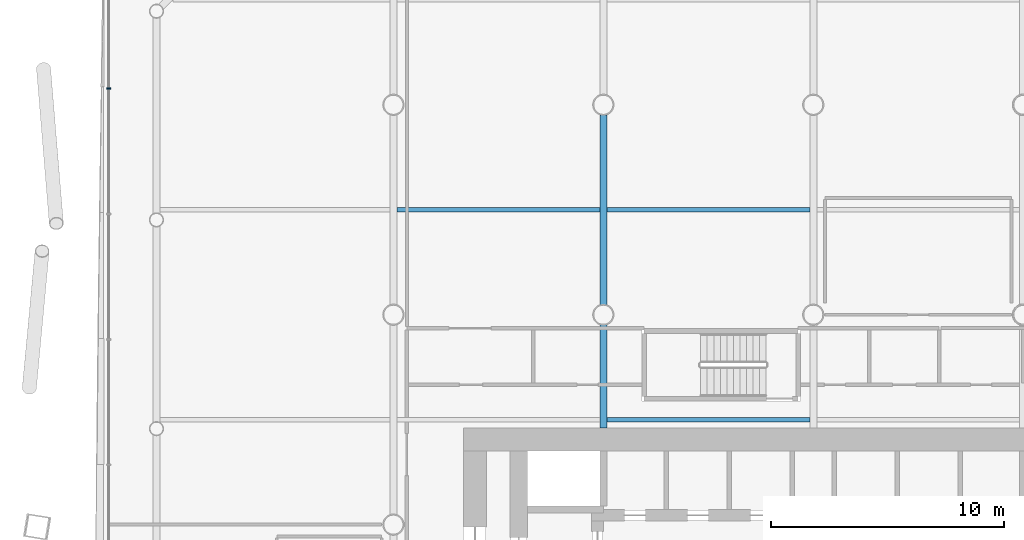
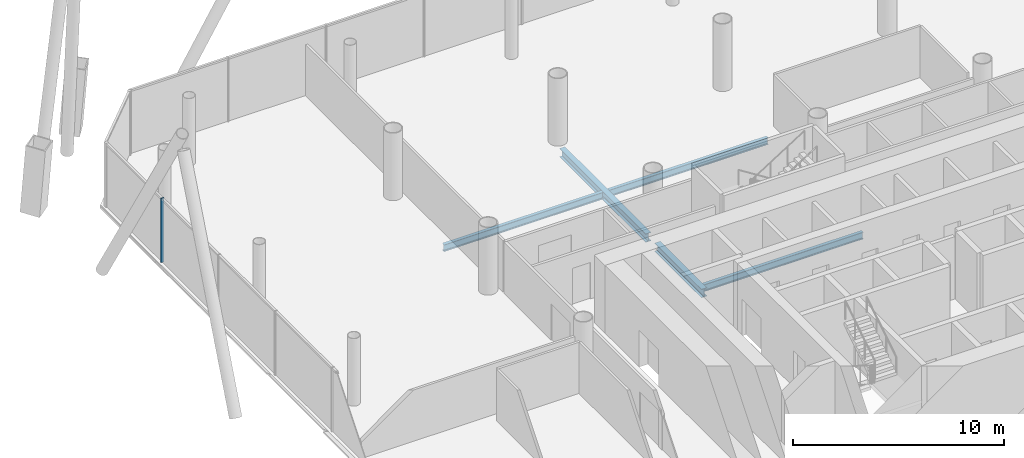
# One storey, part 11 of 25: 5 beams, 1 member, 1 element without a shape of its own.
"""IFC4 building model written with IfcOpenShell, lengths in metres."""

from ifc_helpers import new_model, si_unit, direction, frame, origin, origin_2d, place, context, subcontext, project, spatial, rectangle, i_section, extrude, material, material_profile, profile_set, type_object, element, aggregate, save


model = new_model("IFC4")

# Units and contexts
model_context = context("Model", 3, precision=1e-05, world=origin(), true_north=direction((0.0, 1.0)))
body_context = subcontext(model_context, "Body", "Model", "MODEL_VIEW")
ifc_project = project(units=[si_unit("LENGTHUNIT", "METRE"), si_unit("AREAUNIT", "SQUARE_METRE"), si_unit("VOLUMEUNIT", "CUBIC_METRE"), si_unit("PLANEANGLEUNIT", "RADIAN"), si_unit("MASSUNIT", "GRAM", prefix="KILO")], contexts=[model_context])

# Site, building, storey
site_placement = place(None, origin())
site = spatial("IfcSite", under=ifc_project, at=site_placement, CompositionType="ELEMENT")
building_placement = place(site_placement, origin())
building = spatial("IfcBuilding", under=site, at=building_placement, Name="Tskaro Facet Tower", CompositionType="ELEMENT")
storey_placement = place(building_placement, frame((0.0, 0.0, 22.5)))
storey = spatial("IfcBuildingStorey", under=building, at=storey_placement, Name="L04", CompositionType="ELEMENT", Elevation=22.5)

# Curtain wall, member
ifc_material_1 = material(Name="Bronze anodised aluminium 6063-T6", Category="aluminium")
curtain_wall_type = type_object("IfcCurtainWallType", Name="Bronze office curtain wall (FW1)", PredefinedType="NOTDEFINED", material=ifc_material_1)
curtain_wall_placement = place(storey_placement, origin())
curtain_wall = element("IfcCurtainWall", 1, at=curtain_wall_placement, inside=storey, type_object=curtain_wall_type, Name="FW1 west facet L04", PredefinedType="NOTDEFINED")
ifc_material_profile_1 = material_profile(ifc_material_1, rectangle(XDim=0.06005859375, YDim=0.159912109375, at=origin_2d()), Name="Mullion 60x160")
ifc_profile_set_1 = profile_set([ifc_material_profile_1], Name="Bronze anodised aluminium 6063-T6")
member_type = type_object("IfcMemberType", Name="FW1 bronze mullion 60x160", PredefinedType="MULLION", material=ifc_profile_set_1)
member_placement = place(storey_placement, frame((-30.201904296875, 18.69140625, 0.0), z_axis=(0.0, 0.0, 1.0), x_axis=(0.0, -1.0, 0.0)))
member = element("IfcMember", 2, at=member_placement, type_object=member_type, Name="FW1 west mullion 1", PredefinedType="MULLION", context=body_context, shape_type="SweptSolid", body=[
    extrude(rectangle(XDim=0.06005859375, YDim=0.159912109375, at=origin_2d()), origin(), (0.0, 0.0, 1.0), 3.699951171875),
])
aggregate(curtain_wall, [member])

# Beams
ifc_material_2 = material(Name="Steel S355J2", Category="steel")
ifc_material_profile_2 = material_profile(ifc_material_2, i_section(OverallWidth=0.300048828125, OverallDepth=0.489990234375, WebThickness=0.011962890625, FlangeThickness=0.02294921875, FilletRadius=0.027099609375, at=origin_2d()), Name="HE 500 A")
ifc_profile_set_2 = profile_set([ifc_material_profile_2], Name="Steel S355J2")
beam_type_1 = type_object("IfcBeamType", Name="HE 500 A girder", PredefinedType="BEAM", material=ifc_profile_set_2)
beam_1_placement = place(storey_placement, frame((-9.0, 4.14990234375, -0.385009765625), z_axis=(0.0, 1.0, 0.0), x_axis=(-1.0, 0.0, 0.0)))
element("IfcBeam", 3, at=beam_1_placement, inside=storey, type_object=beam_type_1, Name="HE 500 A GB3-3-1", PredefinedType="BEAM", context=body_context, shape_type="SweptSolid", body=[
    extrude(i_section(OverallWidth=0.300048828125, OverallDepth=0.489990234375, WebThickness=0.011962890625, FlangeThickness=0.02294921875, FilletRadius=0.027099609375, at=origin_2d()), origin(), (0.0, 0.0, 1.0), 4.4228515625),
])
beam_2_placement = place(storey_placement, frame((-9.0, 9.42724609375, -0.385009765625), z_axis=(0.0, 1.0, 0.0), x_axis=(-1.0, 0.0, 0.0)))
element("IfcBeam", 4, at=beam_2_placement, inside=storey, type_object=beam_type_1, Name="HE 500 A GB3-4-1", PredefinedType="BEAM", context=body_context, shape_type="SweptSolid", body=[
    extrude(i_section(OverallWidth=0.300048828125, OverallDepth=0.489990234375, WebThickness=0.011962890625, FlangeThickness=0.02294921875, FilletRadius=0.027099609375, at=origin_2d()), origin(), (0.0, 0.0, 1.0), 8.1455078125),
])
ifc_material_profile_3 = material_profile(ifc_material_2, i_section(OverallWidth=0.179931640625, OverallDepth=0.39990234375, WebThickness=0.008544921875, FlangeThickness=0.013427734375, FilletRadius=0.02099609375, at=origin_2d()), Name="IPE 400")
ifc_profile_set_3 = profile_set([ifc_material_profile_3], Name="Steel S355J2")
beam_type_2 = type_object("IfcBeamType", Name="IPE 400 secondary beam", PredefinedType="BEAM", material=ifc_profile_set_3)
for number, where, z_axis, x_axis, name in (
    (5, (-8.85009765625, 4.5, -0.340087890625), (1.0, 0.0, 0.0), (0.0, 1.0, 0.0), "IPE 400 SB4a-3-1"),
    (6, (-17.85009765625, 13.5, -0.340087890625), (1.0, 0.0, 0.0), (0.0, 1.0, 0.0), "IPE 400 SB5a-2-1"),
    (7, (-8.85009765625, 13.5, -0.340087890625), (1.0, 0.0, 0.0), (0.0, 1.0, 0.0), "IPE 400 SB5a-3-1"),
):
    element("IfcBeam", number, at=place(storey_placement, frame(where, z_axis=z_axis, x_axis=x_axis)), inside=storey, type_object=beam_type_2, Name=name, PredefinedType="BEAM", context=body_context, shape_type="SweptSolid", body=[
        extrude(i_section(OverallWidth=0.179931640625, OverallDepth=0.39990234375, WebThickness=0.008544921875, FlangeThickness=0.013427734375, FilletRadius=0.02099609375, at=origin_2d()), origin(), (0.0, 0.0, 1.0), 8.7001953125),
    ])

save(model, "model.ifc")
